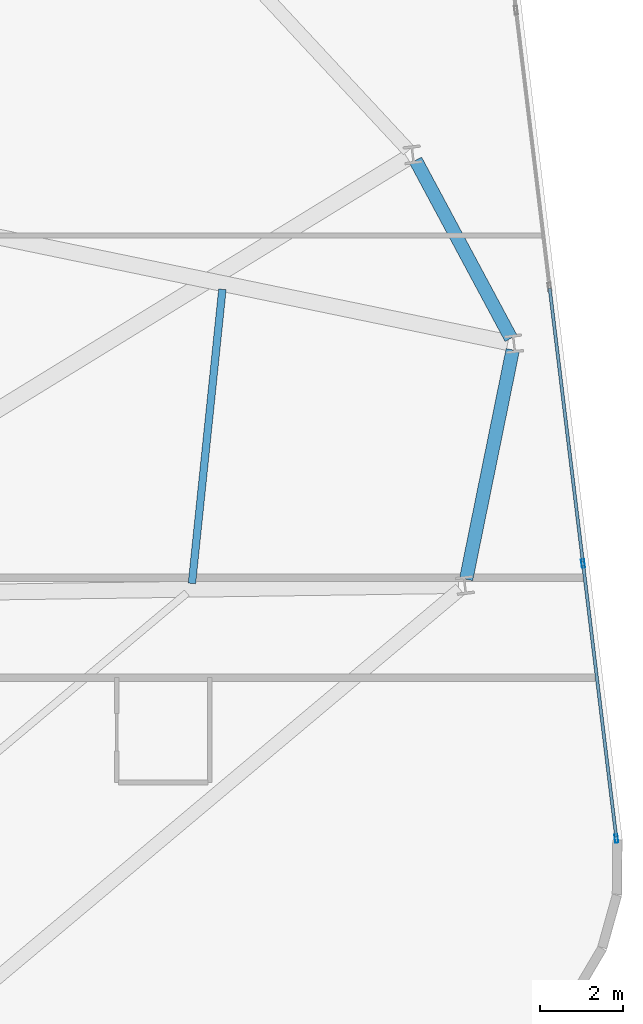
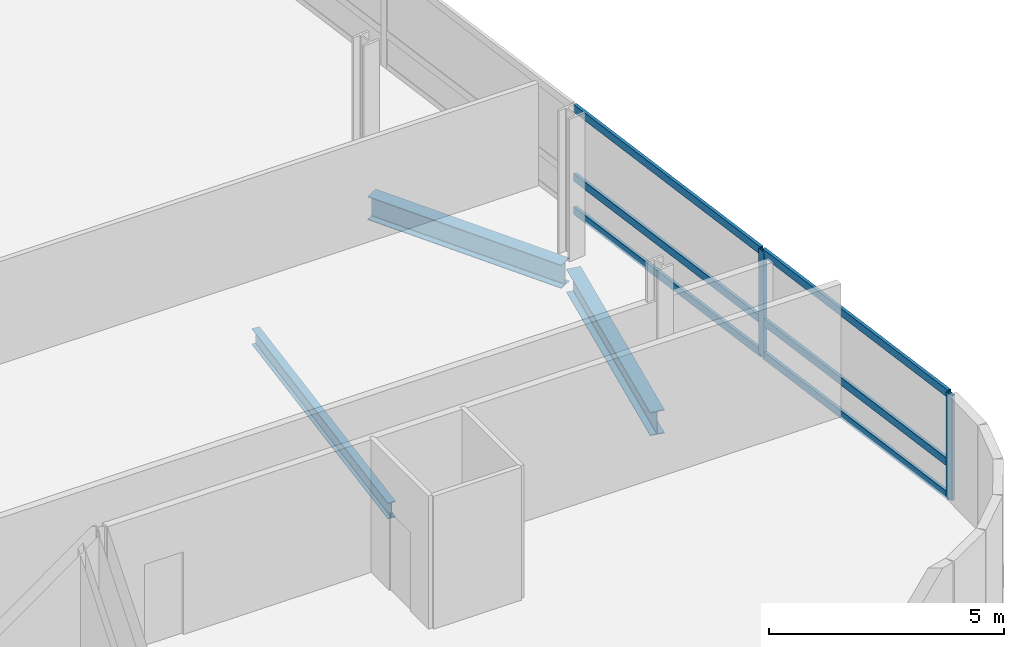
# One storey, part 10 of 23: 8 members, 3 beams, 1 element without a shape of its own.
"""IFC4 building model written with IfcOpenShell, lengths in metres."""

import ifcopenshell
import ifcopenshell.guid

model = None  # the IFC model being written
_history = None  # IfcOwnerHistory: only IFC2X3 demands one
_inside = {}  # id of a spatial element -> (the spatial element, [elements in it])
_under = {}  # id of a project, library or spatial element -> (it, [spatial elements below it])
_declared = {}  # id of a project -> (the project, [libraries it declares])
_typed = {}  # id of a type object -> (the type object, [elements of that type])
_made_of = {}  # id of a material, layer set ... -> (it, [elements and type objects made of it])


def new_model(schema):
    """Start an empty IFC model of exactly this schema.

    Asked for "IFC4X3", IfcOpenShell would pick the latest addendum, in which some entities
    have other attributes; the version numbers below select the first issue.
    IFC2X3 requires an IfcOwnerHistory on every rooted entity: one is made here for all.
    """
    global model, _history
    if schema == "IFC4X3":
        model = ifcopenshell.file(schema_version=(4, 3, 0, 0))
    else:
        model = ifcopenshell.file(schema=schema)
    _inside.clear()
    _under.clear()
    _declared.clear()
    _typed.clear()
    _made_of.clear()
    _history = None
    if model.schema == "IFC2X3":
        org = make("IfcOrganization", Name="unknown")
        user = make(
            "IfcPersonAndOrganization",
            ThePerson=make("IfcPerson", FamilyName="unknown"),
            TheOrganization=org,
        )
        app = make(
            "IfcApplication",
            ApplicationDeveloper=org,
            Version="unknown",
            ApplicationFullName="unknown",
            ApplicationIdentifier="unknown",
        )
        _history = make(
            "IfcOwnerHistory",
            OwningUser=user,
            OwningApplication=app,
            ChangeAction="ADDED",
            CreationDate=0,
        )
    return model


def make(cls, **values):
    """One entity of the class cls with the attributes given. An attribute that is None is left unset."""
    return model.create_entity(
        cls, **{name: value for name, value in values.items() if value is not None}
    )


def rooted(cls, **values):
    """An entity with a GlobalId (a new one), such as an element, a storey or a relation."""
    return make(cls, GlobalId=ifcopenshell.guid.new(), OwnerHistory=_history, **values)


def si_unit(unit_type, name, prefix=None):
    """IfcSIUnit, for example si_unit("LENGTHUNIT", "METRE", prefix="MILLI")."""
    return make("IfcSIUnit", UnitType=unit_type, Prefix=prefix, Name=name)


def assignment(units):
    """IfcUnitAssignment: the units of a project."""
    return None if units is None else make("IfcUnitAssignment", Units=units)


def point(xyz):
    """IfcCartesianPoint."""
    return None if xyz is None else make("IfcCartesianPoint", Coordinates=xyz)


def direction(xyz):
    """IfcDirection."""
    return None if xyz is None else make("IfcDirection", DirectionRatios=xyz)


def frame(location, z_axis=None, x_axis=None):
    """IfcAxis2Placement3D, a coordinate frame: its origin and axes. An axis left out is left unset."""
    return make(
        "IfcAxis2Placement3D",
        Location=point(location),
        Axis=direction(z_axis),
        RefDirection=direction(x_axis),
    )


def frame_2d(location, x_axis=None):
    """IfcAxis2Placement2D, a coordinate frame in the plane: its origin and x axis."""
    return make(
        "IfcAxis2Placement2D", Location=point(location), RefDirection=direction(x_axis)
    )


def origin():
    """The frame at (0, 0, 0) with its axes left unset."""
    return frame((0.0, 0.0, 0.0))


def origin_2d():
    """The frame at (0, 0) in the plane with its x axis left unset."""
    return frame_2d((0.0, 0.0))


def place(relative_to, where):
    """IfcLocalPlacement: puts the frame where relative to a parent placement (None: the world)."""
    return make(
        "IfcLocalPlacement", PlacementRelTo=relative_to, RelativePlacement=where
    )


def context(
    kind, dimensions, precision=None, world=None, true_north=None, identifier=None
):
    """IfcGeometricRepresentationContext, for example the 3D "Model" context."""
    return make(
        "IfcGeometricRepresentationContext",
        ContextIdentifier=identifier,
        ContextType=kind,
        CoordinateSpaceDimension=dimensions,
        Precision=precision,
        WorldCoordinateSystem=world,
        TrueNorth=true_north,
    )


def subcontext(parent, identifier, kind, view, scale=None):
    """IfcGeometricRepresentationSubContext, for example "Body" below "Model"."""
    return make(
        "IfcGeometricRepresentationSubContext",
        ContextIdentifier=identifier,
        ContextType=kind,
        ParentContext=parent,
        TargetScale=scale,
        TargetView=view,
    )


def project(units=None, contexts=None):
    """IfcProject with its units and contexts."""
    return rooted(
        "IfcProject",
        Name="project",
        RepresentationContexts=contexts,
        UnitsInContext=assignment(units),
    )


def spatial(cls, under=None, at=None, **own):
    """A site, building, storey or space (cls), placed at a placement, below another one or the project."""
    s = rooted(cls, ObjectPlacement=at, **own)
    if under is not None:
        _under.setdefault(under.id(), (under, []))[1].append(s)
    return s


def profile(cls, at=None, kind="AREA", **sizes):
    """A parametric profile (cls). Its sizes go by their IFC names, for example OverallWidth=200.0."""
    return make(cls, ProfileType=kind, Position=at, **sizes)


def hollow_rectangle(**sizes):
    """IfcRectangleHollowProfileDef."""
    return profile("IfcRectangleHollowProfileDef", **sizes)


def i_section(**sizes):
    """IfcIShapeProfileDef."""
    return profile("IfcIShapeProfileDef", **sizes)


def extrude(swept, where, along, depth):
    """IfcExtrudedAreaSolid: the profile swept, set in the frame where, extruded along a direction by depth."""
    return make(
        "IfcExtrudedAreaSolid",
        SweptArea=swept,
        Position=where,
        ExtrudedDirection=direction(along),
        Depth=depth,
    )


def shape(context_of_items, identifier, shape_type, items):
    """IfcShapeRepresentation: the items that make up one representation, for example the "Body"."""
    return make(
        "IfcShapeRepresentation",
        ContextOfItems=context_of_items,
        RepresentationIdentifier=identifier,
        RepresentationType=shape_type,
        Items=items,
    )


def material(Name=None, Category=None):
    """IfcMaterial."""
    return make("IfcMaterial", Name=Name, Category=Category)


def layer(
    of_material, thickness, ventilated=None, Name=None, Category=None, Priority=None
):
    """IfcMaterialLayer: one layer of a wall or slab, of a material (None: an air gap)."""
    return make(
        "IfcMaterialLayer",
        Material=of_material,
        LayerThickness=thickness,
        IsVentilated=ventilated,
        Name=Name,
        Category=Category,
        Priority=Priority,
    )


def layer_set(layers, Name=None):
    """IfcMaterialLayerSet."""
    return make("IfcMaterialLayerSet", MaterialLayers=layers, LayerSetName=Name)


def material_profile(
    of_material, cross_section, Name=None, Category=None, Priority=None
):
    """IfcMaterialProfile: a cross section and its material."""
    return make(
        "IfcMaterialProfile",
        Name=Name,
        Material=of_material,
        Profile=cross_section,
        Priority=Priority,
        Category=Category,
    )


def profile_set(profiles, Name=None, composite=None):
    """IfcMaterialProfileSet."""
    return make(
        "IfcMaterialProfileSet",
        Name=Name,
        MaterialProfiles=profiles,
        CompositeProfile=composite,
    )


def made_of(thing, what):
    """Note that an element or type object is made of a material, layer set ...; save() writes the relation."""
    if what is not None:
        _made_of.setdefault(what.id(), (what, []))[1].append(thing)
    return thing


def type_object(cls, material=None, **own):
    """A type object (cls), such as IfcWallType, which elements share."""
    return made_of(rooted(cls, **own), material)


def element(
    cls,
    number,
    at=None,
    inside=None,
    cuts=None,
    type_object=None,
    material=None,
    context=None,
    identifier="Body",
    shape_type=None,
    held_by="IfcProductDefinitionShape",
    body=None,
    shapes=None,
    **own,
):
    """One element of the class cls, such as IfcWall. Its Tag is "e" and its number.

    at: its placement. inside: the storey or other place that contains it. cuts: it is an
    opening in that element (IfcRelVoidsElement). A single representation is given by context,
    identifier, shape_type and body (its items); several are given by shapes. held_by: the class
    of the entity that holds the representations. save() writes the other relations.
    """
    e = rooted(cls, Tag="e%d" % number, ObjectPlacement=at, **own)
    if body is not None:
        shapes = [shape(context, identifier, shape_type, body)]
    if shapes is not None:
        e.Representation = make(held_by, Representations=shapes)
    if inside is not None:
        _inside.setdefault(inside.id(), (inside, []))[1].append(e)
    if cuts is not None:
        rooted(
            "IfcRelVoidsElement", RelatingBuildingElement=cuts, RelatedOpeningElement=e
        )
    if type_object is not None:
        _typed.setdefault(type_object.id(), (type_object, []))[1].append(e)
    return made_of(e, material)


def aggregate(whole, parts):
    """IfcRelAggregates: a whole, such as a stair, and the parts it consists of."""
    return rooted("IfcRelAggregates", RelatingObject=whole, RelatedObjects=parts)


def save(model, path):
    """Write the relations noted so far, then the file.

    IfcRelAggregates (storeys below a building ...), IfcRelContainedInSpatialStructure (elements
    in a storey), IfcRelDefinesByType, IfcRelAssociatesMaterial and IfcRelDeclares: one each for
    every whole, place, type object, material and project.
    """
    for whole, parts in _under.values():
        aggregate(whole, parts)
    for where, things in _inside.values():
        rooted(
            "IfcRelContainedInSpatialStructure",
            RelatedElements=things,
            RelatingStructure=where,
        )
    for kind, things in _typed.values():
        rooted("IfcRelDefinesByType", RelatedObjects=things, RelatingType=kind)
    for what, things in _made_of.values():
        rooted("IfcRelAssociatesMaterial", RelatedObjects=things, RelatingMaterial=what)
    for by, libraries in _declared.values():
        rooted("IfcRelDeclares", RelatingContext=by, RelatedDefinitions=libraries)
    model.write(path)


model = new_model("IFC4")

# Units and contexts
model_context = context("Model", 3, precision=1e-05, world=origin(), true_north=direction((0.0, 1.0)))
body_context = subcontext(model_context, "Body", "Model", "MODEL_VIEW")
ifc_project = project(units=[si_unit("LENGTHUNIT", "METRE"), si_unit("AREAUNIT", "SQUARE_METRE"), si_unit("VOLUMEUNIT", "CUBIC_METRE"), si_unit("PLANEANGLEUNIT", "RADIAN"), si_unit("MASSUNIT", "GRAM", prefix="KILO")], contexts=[model_context])

# Site, building, storey
site_placement = place(None, origin())
site = spatial("IfcSite", under=ifc_project, at=site_placement, CompositionType="ELEMENT")
building_placement = place(site_placement, origin())
building = spatial("IfcBuilding", under=site, at=building_placement, Name="Varnelok Gate Tower", CompositionType="ELEMENT")
storey_placement = place(building_placement, frame((0.0, 0.0, 193.10009765625)))
storey = spatial("IfcBuildingStorey", under=building, at=storey_placement, Name="L49", CompositionType="ELEMENT", Elevation=193.10009765625)

# Beams
ifc_material_1 = material(Name="Structural Steel ASTM A992 Grade 50", Category="steel")
ifc_material_profile_1 = material_profile(ifc_material_1, i_section(OverallWidth=0.180908203125, OverallDepth=0.4169921875, WebThickness=0.010986328125, FlangeThickness=0.018310546875, FilletRadius=0.013916015625, at=origin_2d()), Name="W16X57")
ifc_profile_set_1 = profile_set([ifc_material_profile_1], Name="Structural Steel ASTM A992 Grade 50")
beam_type_1 = type_object("IfcBeamType", Name="BM-JST-W16X57", PredefinedType="JOIST", material=ifc_profile_set_1)
beam_1_placement = place(storey_placement, frame((65.931884765625, 19.1064453125, -0.45849609375), z_axis=(0.103076572184, 0.994673423927, 0.0), x_axis=(-0.994673423927, 0.103076572184, 0.0)))
element("IfcBeam", 1, at=beam_1_placement, inside=storey, type_object=beam_type_1, Name="L49 Sector Floor Joist 6", PredefinedType="JOIST", context=body_context, shape_type="SweptSolid", body=[
    extrude(i_section(OverallWidth=0.180908203125, OverallDepth=0.4169921875, WebThickness=0.010986328125, FlangeThickness=0.018310546875, FilletRadius=0.013916015625, at=origin_2d()), origin(), (0.0, 0.0, 1.0), 7.089111328125),
])
ifc_material_profile_2 = material_profile(ifc_material_1, i_section(OverallWidth=0.323974609375, OverallDepth=0.611083984375, WebThickness=0.0126953125, FlangeThickness=0.01904296875, FilletRadius=0.01806640625, at=origin_2d()), Name="W24X104")
ifc_profile_set_2 = profile_set([ifc_material_profile_2], Name="Structural Steel ASTM A992 Grade 50")
beam_type_2 = type_object("IfcBeamType", Name="BM-SPN-W24X104", PredefinedType="SPANDREL", material=ifc_profile_set_2)
beam_2_placement = place(storey_placement, frame((72.5068359375, 19.206298828125, -0.5556640625), z_axis=(0.19911018886, 0.979977108249, 0.0), x_axis=(-0.979977108249, 0.19911018886, 0.0)))
element("IfcBeam", 2, at=beam_2_placement, inside=storey, type_object=beam_type_2, Name="L49 Perimeter Spandrel Beam 6", PredefinedType="SPANDREL", context=body_context, shape_type="SweptSolid", body=[
    extrude(i_section(OverallWidth=0.323974609375, OverallDepth=0.611083984375, WebThickness=0.0126953125, FlangeThickness=0.01904296875, FilletRadius=0.01806640625, at=origin_2d()), origin(), (0.0, 0.0, 1.0), 5.612060546875),
])
beam_3_placement = place(storey_placement, frame((73.583251953125, 24.9853515625, -0.5556640625), z_axis=(-0.472471917257, 0.881345725242, 0.0), x_axis=(-0.881345725242, -0.472471917257, 0.0)))
element("IfcBeam", 3, at=beam_3_placement, inside=storey, type_object=beam_type_2, Name="L49 Perimeter Spandrel Beam 7", PredefinedType="SPANDREL", context=body_context, shape_type="SweptSolid", body=[
    extrude(i_section(OverallWidth=0.323974609375, OverallDepth=0.611083984375, WebThickness=0.0126953125, FlangeThickness=0.01904296875, FilletRadius=0.01806640625, at=origin_2d()), origin(), (0.0, 0.0, 1.0), 4.8408203125),
])

# Curtain wall, members
ifc_material_2 = material(Name="Anodized Aluminum Alloy 6063-T6", Category="aluminium")
ifc_layer = layer(ifc_material_2, 0.179931640625)
ifc_layer_set = layer_set([ifc_layer], Name="Anodized Aluminum Alloy 6063-T6")
curtain_wall_type = type_object("IfcCurtainWallType", Name="CW4-RESIDENCE-VISION", PredefinedType="USERDEFINED", material=ifc_layer_set)
curtain_wall_placement = place(storey_placement, origin())
curtain_wall = element("IfcCurtainWall", 4, at=curtain_wall_placement, inside=storey, type_object=curtain_wall_type, Name="L49 East End Vision Curtain Wall", ObjectType="UNITISED CURTAIN WALL", PredefinedType="USERDEFINED")
ifc_material_profile_3 = material_profile(ifc_material_2, hollow_rectangle(XDim=0.074951171875, YDim=0.199951171875, WallThickness=0.00390625, at=origin_2d()), Name="ALU200X75X4")
ifc_profile_set_3 = profile_set([ifc_material_profile_3], Name="Anodized Aluminum Alloy 6063-T6")
member_type_1 = type_object("IfcMemberType", Name="CW-MULL-200", PredefinedType="MULLION", material=ifc_profile_set_3)
member_1_placement = place(storey_placement, frame((75.310302734375, 19.584228515625, 0.0), z_axis=(0.0, 0.0, 1.0), x_axis=(0.992732188751, 0.120344511371, 0.0)))
member_1 = element("IfcMember", 5, at=member_1_placement, type_object=member_type_1, Name="CW4 mullion 5", PredefinedType="MULLION", context=body_context, shape_type="SweptSolid", body=[
    extrude(hollow_rectangle(XDim=0.074951171875, YDim=0.199951171875, WallThickness=0.00390625, at=origin_2d()), origin(), (0.0, 0.0, 1.0), 2.72998046875),
])
member_2_placement = place(storey_placement, frame((76.109619140625, 12.989990234375, 0.0), z_axis=(0.0, 0.0, 1.0), x_axis=(0.992732188751, 0.120344511371, 0.0)))
member_2 = element("IfcMember", 6, at=member_2_placement, type_object=member_type_1, Name="CW4 mullion 6", PredefinedType="MULLION", context=body_context, shape_type="SweptSolid", body=[
    extrude(hollow_rectangle(XDim=0.074951171875, YDim=0.199951171875, WallThickness=0.00390625, at=origin_2d()), origin(), (0.0, 0.0, 1.0), 2.72998046875),
])
ifc_material_profile_4 = material_profile(ifc_material_2, hollow_rectangle(XDim=0.074951171875, YDim=0.199951171875, WallThickness=0.00390625, at=origin_2d()), Name="ALU200X75X4")
ifc_profile_set_4 = profile_set([ifc_material_profile_4], Name="Anodized Aluminum Alloy 6063-T6")
member_type_2 = type_object("IfcMemberType", Name="CW-TRAN-200", PredefinedType="USERDEFINED", material=ifc_profile_set_4)
member_3_placement = place(storey_placement, frame((74.510986328125, 26.178466796875, 0.037353515625), z_axis=(0.120349029092, -0.992731641078, 0.0), x_axis=(0.992731641078, 0.120349029092, 0.0)))
member_3 = element("IfcMember", 7, at=member_3_placement, type_object=member_type_2, Name="CW4 transom 4.1", ObjectType="TRANSOM", PredefinedType="USERDEFINED", context=body_context, shape_type="SweptSolid", body=[
    extrude(hollow_rectangle(XDim=0.074951171875, YDim=0.199951171875, WallThickness=0.00390625, at=origin_2d()), origin(), (0.0, 0.0, 1.0), 6.605224609375),
])
member_4_placement = place(storey_placement, frame((74.510986328125, 26.178466796875, 0.89990234375), z_axis=(0.120349029092, -0.992731641078, 0.0), x_axis=(0.992731641078, 0.120349029092, 0.0)))
member_4 = element("IfcMember", 8, at=member_4_placement, type_object=member_type_2, Name="CW4 transom 4.2", ObjectType="TRANSOM", PredefinedType="USERDEFINED", context=body_context, shape_type="SweptSolid", body=[
    extrude(hollow_rectangle(XDim=0.074951171875, YDim=0.199951171875, WallThickness=0.00390625, at=origin_2d()), origin(), (0.0, 0.0, 1.0), 6.605224609375),
])
member_5_placement = place(storey_placement, frame((74.510986328125, 26.178466796875, 2.6923828125), z_axis=(0.120349029092, -0.992731641078, 0.0), x_axis=(0.992731641078, 0.120349029092, 0.0)))
member_5 = element("IfcMember", 9, at=member_5_placement, type_object=member_type_2, Name="CW4 transom 4.3", ObjectType="TRANSOM", PredefinedType="USERDEFINED", context=body_context, shape_type="SweptSolid", body=[
    extrude(hollow_rectangle(XDim=0.074951171875, YDim=0.199951171875, WallThickness=0.00390625, at=origin_2d()), origin(), (0.0, 0.0, 1.0), 6.605224609375),
])
member_6_placement = place(storey_placement, frame((75.314697265625, 19.546875, 0.037353515625), z_axis=(0.120369113246, -0.992729206066, 0.0), x_axis=(0.992729206066, 0.120369113246, 0.0)))
member_6 = element("IfcMember", 10, at=member_6_placement, type_object=member_type_2, Name="CW4 transom 5.1", ObjectType="TRANSOM", PredefinedType="USERDEFINED", context=body_context, shape_type="SweptSolid", body=[
    extrude(hollow_rectangle(XDim=0.074951171875, YDim=0.199951171875, WallThickness=0.00390625, at=origin_2d()), origin(), (0.0, 0.0, 1.0), 6.567626953125),
])
member_7_placement = place(storey_placement, frame((75.314697265625, 19.546875, 0.89990234375), z_axis=(0.120369113246, -0.992729206066, 0.0), x_axis=(0.992729206066, 0.120369113246, 0.0)))
member_7 = element("IfcMember", 11, at=member_7_placement, type_object=member_type_2, Name="CW4 transom 5.2", ObjectType="TRANSOM", PredefinedType="USERDEFINED", context=body_context, shape_type="SweptSolid", body=[
    extrude(hollow_rectangle(XDim=0.074951171875, YDim=0.199951171875, WallThickness=0.00390625, at=origin_2d()), origin(), (0.0, 0.0, 1.0), 6.567626953125),
])
member_8_placement = place(storey_placement, frame((75.314697265625, 19.546875, 2.6923828125), z_axis=(0.120369113246, -0.992729206066, 0.0), x_axis=(0.992729206066, 0.120369113246, 0.0)))
member_8 = element("IfcMember", 12, at=member_8_placement, type_object=member_type_2, Name="CW4 transom 5.3", ObjectType="TRANSOM", PredefinedType="USERDEFINED", context=body_context, shape_type="SweptSolid", body=[
    extrude(hollow_rectangle(XDim=0.074951171875, YDim=0.199951171875, WallThickness=0.00390625, at=origin_2d()), origin(), (0.0, 0.0, 1.0), 6.567626953125),
])
aggregate(curtain_wall, [member_1, member_2, member_3, member_4, member_5, member_6, member_7, member_8])

save(model, "model.ifc")
